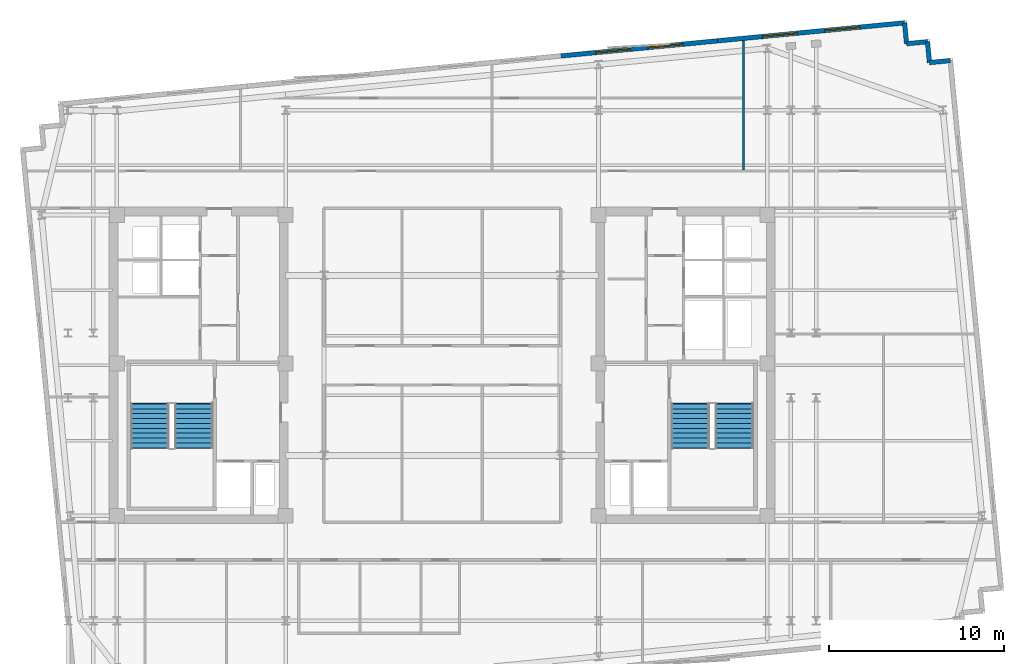
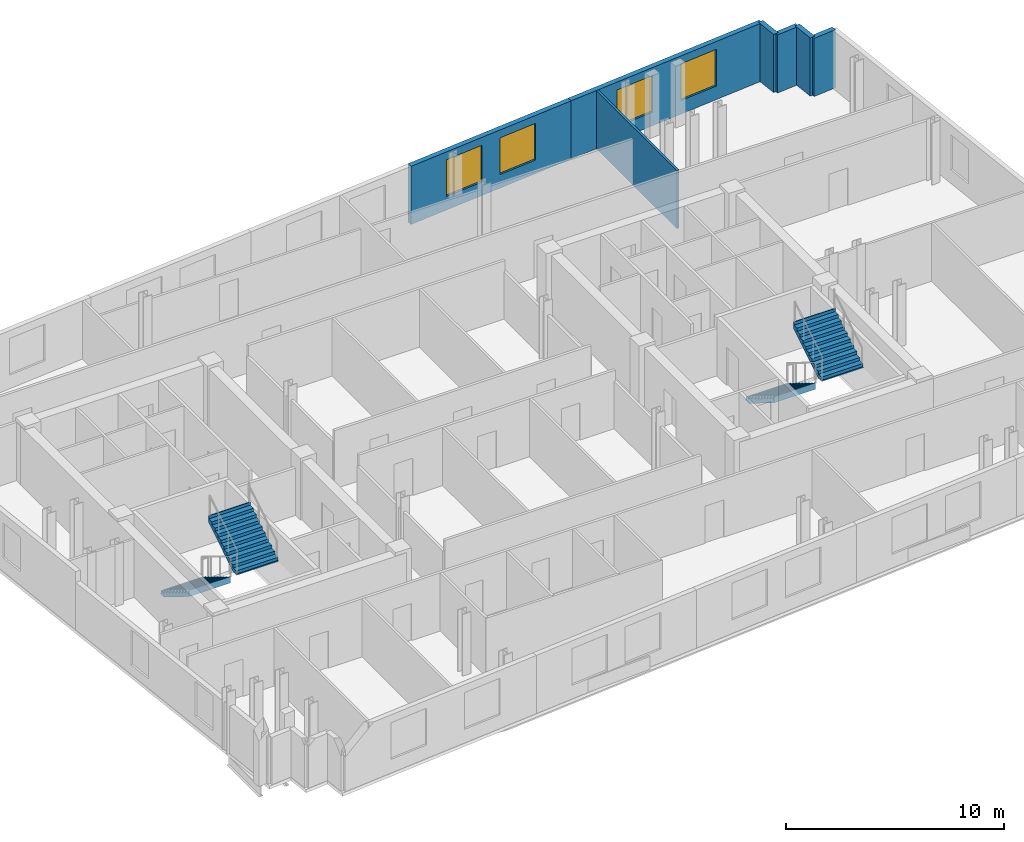
# One storey, part 7 of 9: 7 walls, 4 stair flights, 4 windows, 4 openings, 2 elements without a shape of their own.
"""IFC4 building model written with IfcOpenShell, lengths in metres."""

from ifc_helpers import new_model, si_unit, direction, frame, frame_2d, origin, place, context, subcontext, project, spatial, polyline, rectangle, outline, extrude, material, layer, layer_set, type_object, element, fill, aggregate, save


model = new_model("IFC4")

# Units and contexts
model_context = context("Model", 3, precision=1e-05, world=origin(), true_north=direction((0.0, 1.0)))
body_context = subcontext(model_context, "Body", "Model", "MODEL_VIEW")
ifc_project = project(units=[si_unit("LENGTHUNIT", "METRE"), si_unit("AREAUNIT", "SQUARE_METRE"), si_unit("VOLUMEUNIT", "CUBIC_METRE"), si_unit("PLANEANGLEUNIT", "RADIAN"), si_unit("MASSUNIT", "GRAM", prefix="KILO")], contexts=[model_context])

# Site, building, storey
site_placement = place(None, origin())
site = spatial("IfcSite", under=ifc_project, at=site_placement, CompositionType="ELEMENT")
building_placement = place(site_placement, origin())
building = spatial("IfcBuilding", under=site, at=building_placement, Name="Velakula Bourse", CompositionType="ELEMENT")
storey_placement = place(building_placement, frame((0.0, 0.0, 275.85009765625)))
storey = spatial("IfcBuildingStorey", under=building, at=storey_placement, Name="L75", CompositionType="ELEMENT", Elevation=275.85009765625)

# Wall, openings, windows
ifc_material_1 = material(Name="Buff kilned clay facing brick masonry", Category="masonry")
ifc_layer_1 = layer(ifc_material_1, 0.260009765625, Name="Buff kilned clay facing brick masonry", Category="masonry")
ifc_layer_set_1 = layer_set([ifc_layer_1], Name="Buff kilned clay facing brick masonry")
wall_type_1 = type_object("IfcWallType", Name="WL-EXT-BRK-260", PredefinedType="STANDARD", material=ifc_layer_set_1)
wall_1_placement = place(storey_placement, frame((6.797119140625, 17.700439453125, 0.0), z_axis=(0.0, 0.0, 1.0), x_axis=(0.995394455533, 0.09586385082, 0.0)))
wall_1 = element("IfcWall", 1, at=wall_1_placement, inside=storey, type_object=wall_type_1, Name="L75 N Brick Spandrel Wall B4", PredefinedType="STANDARD", context=body_context, shape_type="SweptSolid", body=[
    extrude(rectangle(XDim=9.000244140625, YDim=0.260009765625, at=frame_2d((4.5, 0.0))), origin(), (0.0, 0.0, 1.0), 3.25),
])
opening_1_placement = place(wall_1_placement, frame((2.0, 0.0, 0.760009765625)))
opening_1 = element("IfcOpeningElement", 2, at=opening_1_placement, cuts=wall_1, Name="Opening W-05", PredefinedType="OPENING", context=body_context, shape_type="SweptSolid", body=[
    extrude(rectangle(XDim=2.0, YDim=2.050048828125, at=frame_2d((1.0, 1.02490234375))), frame((0.0, 0.139892578125, 0.0), z_axis=(0.0, -1.0, 0.0), x_axis=(1.0, 0.0, 0.0)), (0.0, 0.0, 1.0), 0.280029296875),
])
opening_2_placement = place(wall_1_placement, frame((5.0, 0.0, 0.760009765625)))
opening_2 = element("IfcOpeningElement", 3, at=opening_2_placement, cuts=wall_1, Name="Opening W-05", PredefinedType="OPENING", context=body_context, shape_type="SweptSolid", body=[
    extrude(rectangle(XDim=2.0, YDim=2.050048828125, at=frame_2d((1.0, 1.02490234375))), frame((0.0, 0.139892578125, 0.0), z_axis=(0.0, -1.0, 0.0), x_axis=(1.0, 0.0, 0.0)), (0.0, 0.0, 1.0), 0.280029296875),
])
ifc_material_2 = material(Name="Double-glazed solar-control Low-E glass", Category="glass")
window_type = type_object("IfcWindowType", Name="WIN-TWR-2000x2200", PartitioningType="DOUBLE_PANEL_VERTICAL", PredefinedType="WINDOW", material=ifc_material_2)
window_1_placement = place(opening_1_placement, origin())
window_1 = element("IfcWindow", 4, at=window_1_placement, inside=storey, type_object=window_type, Name="L75 Deep-Set Recessed Window 1", OverallHeight=2.050048828125, OverallWidth=2.0, PartitioningType="DOUBLE_PANEL_VERTICAL", PredefinedType="WINDOW", context=body_context, shape_type="SweptSolid", body=[
    extrude(rectangle(XDim=2.0, YDim=2.050048828125, at=frame_2d((1.0, 1.02490234375))), frame((0.0, 0.030029296875, 0.0), z_axis=(0.0, -1.0, 0.0), x_axis=(1.0, 0.0, 0.0)), (0.0, 0.0, 1.0), 0.06005859375),
])
fill(opening_1, window_1)
window_2_placement = place(opening_2_placement, origin())
window_2 = element("IfcWindow", 5, at=window_2_placement, inside=storey, type_object=window_type, Name="L75 Deep-Set Recessed Window 2", OverallHeight=2.050048828125, OverallWidth=2.0, PartitioningType="DOUBLE_PANEL_VERTICAL", PredefinedType="WINDOW", context=body_context, shape_type="SweptSolid", body=[
    extrude(rectangle(XDim=2.0, YDim=2.050048828125, at=frame_2d((1.0, 1.02490234375))), frame((0.0, 0.030029296875, 0.0), z_axis=(0.0, -1.0, 0.0), x_axis=(1.0, 0.0, 0.0)), (0.0, 0.0, 1.0), 0.06005859375),
])
fill(opening_2, window_2)

wall_2_placement = place(storey_placement, frame((15.755859375, 18.563232421875, 0.0), z_axis=(0.0, 0.0, 1.0), x_axis=(0.995396745868, 0.095840066339, 0.0)))
wall_2 = element("IfcWall", 6, at=wall_2_placement, inside=storey, type_object=wall_type_1, Name="L75 N Brick Spandrel Wall B5", PredefinedType="STANDARD", context=body_context, shape_type="SweptSolid", body=[
    extrude(rectangle(XDim=10.75, YDim=0.260009765625, at=frame_2d((5.375, 0.0))), origin(), (0.0, 0.0, 1.0), 3.25),
])
opening_3_placement = place(wall_2_placement, frame((2.583251953125, 0.0, 0.760009765625)))
opening_3 = element("IfcOpeningElement", 7, at=opening_3_placement, cuts=wall_2, Name="Opening W-05", PredefinedType="OPENING", context=body_context, shape_type="SweptSolid", body=[
    extrude(rectangle(XDim=2.0, YDim=2.050048828125, at=frame_2d((1.0, 1.02490234375))), frame((0.0, 0.139892578125, 0.0), z_axis=(0.0, -1.0, 0.0), x_axis=(1.0, 0.0, 0.0)), (0.0, 0.0, 1.0), 0.280029296875),
])
opening_4_placement = place(wall_2_placement, frame((6.166748046875, 0.0, 0.760009765625)))
opening_4 = element("IfcOpeningElement", 8, at=opening_4_placement, cuts=wall_2, Name="Opening W-05", PredefinedType="OPENING", context=body_context, shape_type="SweptSolid", body=[
    extrude(rectangle(XDim=2.0, YDim=2.050048828125, at=frame_2d((1.0, 1.02490234375))), frame((0.0, 0.139892578125, 0.0), z_axis=(0.0, -1.0, 0.0), x_axis=(1.0, 0.0, 0.0)), (0.0, 0.0, 1.0), 0.280029296875),
])
window_3_placement = place(opening_3_placement, origin())
window_3 = element("IfcWindow", 9, at=window_3_placement, inside=storey, type_object=window_type, Name="L75 Deep-Set Recessed Window 1", OverallHeight=2.050048828125, OverallWidth=2.0, PartitioningType="DOUBLE_PANEL_VERTICAL", PredefinedType="WINDOW", context=body_context, shape_type="SweptSolid", body=[
    extrude(rectangle(XDim=2.0, YDim=2.050048828125, at=frame_2d((1.0, 1.02490234375))), frame((0.0, 0.030029296875, 0.0), z_axis=(0.0, -1.0, 0.0), x_axis=(1.0, 0.0, 0.0)), (0.0, 0.0, 1.0), 0.06005859375),
])
fill(opening_3, window_3)
window_4_placement = place(opening_4_placement, origin())
window_4 = element("IfcWindow", 10, at=window_4_placement, inside=storey, type_object=window_type, Name="L75 Deep-Set Recessed Window 2", OverallHeight=2.050048828125, OverallWidth=2.0, PartitioningType="DOUBLE_PANEL_VERTICAL", PredefinedType="WINDOW", context=body_context, shape_type="SweptSolid", body=[
    extrude(rectangle(XDim=2.0, YDim=2.050048828125, at=frame_2d((1.0, 1.02490234375))), frame((0.0, 0.030029296875, 0.0), z_axis=(0.0, -1.0, 0.0), x_axis=(1.0, 0.0, 0.0)), (0.0, 0.0, 1.0), 0.06005859375),
])
fill(opening_4, window_4)

# Walls
for number, where, z_axis, x_axis, name in (
    (11, (29.0751953125, 17.4345703125, 0.0), (0.0, 0.0, 1.0), (-0.995397091755, -0.095836473879, 0.0), "L75 Serrated Corner Brick Wall NE-1"),
    (12, (27.880859375, 17.319580078125, 0.0), (0.0, 0.0, 1.0), (-0.095836473879, 0.995397091755, 0.0), "L75 Serrated Corner Brick Wall NE-2"),
):
    element("IfcWall", number, at=place(storey_placement, frame(where, z_axis=z_axis, x_axis=x_axis)), inside=storey, type_object=wall_type_1, Name=name, PredefinedType="STANDARD", context=body_context, shape_type="SweptSolid", body=[
        extrude(rectangle(XDim=1.199951171875, YDim=0.260009765625, at=frame_2d((0.60009765625, 0.0))), origin(), (0.0, 0.0, 1.0), 3.25),
    ])
for number, where, z_axis, x_axis, name in (
    (13, (27.765869140625, 18.513916015625, 0.0), (0.0, 0.0, 1.0), (-0.995398960025, -0.095817067274, 0.0), "L75 Serrated Corner Brick Wall NE-3"),
    (14, (26.5712890625, 18.39892578125, 0.0), (0.0, 0.0, 1.0), (-0.095817067274, 0.995398960025, 0.0), "L75 Serrated Corner Brick Wall NE-4"),
):
    element("IfcWall", number, at=place(storey_placement, frame(where, z_axis=z_axis, x_axis=x_axis)), inside=storey, type_object=wall_type_1, Name=name, PredefinedType="STANDARD", context=body_context, shape_type="SweptSolid", body=[
        extrude(rectangle(XDim=1.2001953125, YDim=0.260009765625, at=frame_2d((0.60009765625, 0.0))), origin(), (0.0, 0.0, 1.0), 3.25),
    ])
ifc_material_3 = material(Name="Fire-rated double-layer gypsum drywall partition", Category="gypsum")
ifc_layer_2 = layer(ifc_material_3, 0.1201171875, Name="Fire-rated double-layer gypsum drywall partition", Category="gypsum")
ifc_layer_set_2 = layer_set([ifc_layer_2], Name="Fire-rated double-layer gypsum drywall partition")
wall_type_2 = type_object("IfcWallType", Name="WL-PART-120", PredefinedType="STANDARD", material=ifc_layer_set_2)
wall_3_placement = place(storey_placement, frame((17.236083984375, 11.18994140625, 0.0), z_axis=(0.0, 0.0, 1.0), x_axis=(0.0, 1.0, 0.0)))
element("IfcWall", 15, at=wall_3_placement, inside=storey, type_object=wall_type_2, Name="L75 Interior Partition WL-INT-L75-N-D3", PredefinedType="STANDARD", context=body_context, shape_type="SweptSolid", body=[
    extrude(rectangle(XDim=7.38525390625, YDim=0.1201171875, at=frame_2d((3.692626953125, 0.0))), origin(), (0.0, 0.0, 1.0), 3.25),
])

# Stair, stair flights
ifc_material_4 = material(Name="Concrete M45 (fck 45 MPa)", Category="concrete")
stair_type = type_object("IfcStairType", Name="STR-DOG-390", PredefinedType="HALF_TURN_STAIR", material=ifc_material_4)
stair_1_placement = place(storey_placement, origin())
stair_1 = element("IfcStair", 16, at=stair_1_placement, inside=storey, type_object=stair_type, Name="L75 West Core Exit Stair ST-W1", PredefinedType="HALF_TURN_STAIR")
ifc_layer_3 = layer(ifc_material_4, 0.195068359375, Name="Concrete M45 (fck 45 MPa)", Category="concrete")
ifc_layer_set_3 = layer_set([ifc_layer_3], Name="Concrete M45 (fck 45 MPa)")
stair_flight_type = type_object("IfcStairFlightType", Name="FLT-DOG-390", PredefinedType="STRAIGHT", material=ifc_layer_set_3)
stair_flight_1_placement = place(storey_placement, frame((-16.720947265625, -2.199951171875, 0.0), z_axis=(0.0, 0.0, 1.0), x_axis=(0.0, -1.0, 0.0)))
stair_flight_1 = element("IfcStairFlight", 17, at=stair_flight_1_placement, type_object=stair_flight_type, Name="ST-W1 flight 1", NumberOfRisers=10, NumberOfTreads=9, PredefinedType="STRAIGHT", RiserHeight=0.1725, TreadLength=0.28, context=body_context, shape_type="SweptSolid", body=[
    extrude(outline(polyline([(-0.044921875, -0.0400390625), (-0.044921875, -0.036865234375), (-0.044921875, -0.033935546875), (-0.044921875, -0.03076171875), (-0.044921875, -0.027587890625), (-0.044921875, -0.024658203125), (-0.044921875, -0.021484375), (-0.044921875, -0.0185546875), (-0.044921875, -0.015380859375), (-0.044921875, -0.01220703125), (-0.044921875, -0.00927734375), (-0.044921875, -0.006103515625), (-0.044921875, -0.003173828125), (-0.044921875, 0.0), (0.0, 0.0), (0.0, 0.172607421875), (0.280029296875, 0.172607421875), (0.280029296875, 0.344970703125), (0.56005859375, 0.344970703125), (0.56005859375, 0.517578125), (0.840087890625, 0.517578125), (0.840087890625, 0.68994140625), (1.1201171875, 0.68994140625), (1.1201171875, 0.862548828125), (1.39990234375, 0.862548828125), (1.39990234375, 1.034912109375), (1.679931640625, 1.034912109375), (1.679931640625, 1.20751953125), (1.9599609375, 1.20751953125), (1.9599609375, 1.3798828125), (2.239990234375, 1.3798828125), (2.239990234375, 1.552490234375), (2.52001953125, 1.552490234375), (2.52001953125, 1.72509765625), (2.56494140625, 1.72509765625), (2.56494140625, 1.7001953125), (2.56494140625, 1.67529296875), (2.56494140625, 1.650390625), (2.56494140625, 1.62548828125), (2.56494140625, 1.6005859375), (2.56494140625, 1.57568359375), (2.56494140625, 1.55078125), (2.56494140625, 1.52587890625), (2.56494140625, 1.5009765625), (2.56494140625, 1.47607421875), (2.56494140625, 1.451171875), (2.56494140625, 1.42626953125), (2.56494140625, 1.4013671875), (2.56494140625, 1.37646484375), (0.285888671875, -0.0400390625), (-0.044921875, -0.0400390625)])), frame((0.0, 1.09912109375, 0.0), z_axis=(0.0, -1.0, 0.0), x_axis=(1.0, 0.0, 0.0)), (0.0, 0.0, 1.0), 2.197998046875),
])
stair_flight_2_placement = place(storey_placement, frame((-14.198974609375, -4.719970703125, 1.724853515625), z_axis=(0.0, 0.0, 1.0), x_axis=(0.0, 1.0, 0.0)))
stair_flight_2 = element("IfcStairFlight", 18, at=stair_flight_2_placement, type_object=stair_flight_type, Name="ST-W1 flight 2", NumberOfRisers=10, NumberOfTreads=9, PredefinedType="STRAIGHT", RiserHeight=0.1725, TreadLength=0.28, context=body_context, shape_type="SweptSolid", body=[
    extrude(outline(polyline([(-0.044921875, -0.0400390625), (-0.044921875, -0.036865234375), (-0.044921875, -0.033935546875), (-0.044921875, -0.03076171875), (-0.044921875, -0.027587890625), (-0.044921875, -0.024658203125), (-0.044921875, -0.021484375), (-0.044921875, -0.0185546875), (-0.044921875, -0.015380859375), (-0.044921875, -0.01220703125), (-0.044921875, -0.00927734375), (-0.044921875, -0.006103515625), (-0.044921875, -0.003173828125), (-0.044921875, 0.0), (0.0, 0.0), (0.0, 0.172607421875), (0.280029296875, 0.172607421875), (0.280029296875, 0.344970703125), (0.56005859375, 0.344970703125), (0.56005859375, 0.517578125), (0.840087890625, 0.517578125), (0.840087890625, 0.68994140625), (1.1201171875, 0.68994140625), (1.1201171875, 0.862548828125), (1.39990234375, 0.862548828125), (1.39990234375, 1.034912109375), (1.679931640625, 1.034912109375), (1.679931640625, 1.20751953125), (1.9599609375, 1.20751953125), (1.9599609375, 1.3798828125), (2.239990234375, 1.3798828125), (2.239990234375, 1.552490234375), (2.52001953125, 1.552490234375), (2.52001953125, 1.72509765625), (2.56494140625, 1.72509765625), (2.56494140625, 1.7001953125), (2.56494140625, 1.67529296875), (2.56494140625, 1.650390625), (2.56494140625, 1.62548828125), (2.56494140625, 1.6005859375), (2.56494140625, 1.57568359375), (2.56494140625, 1.55078125), (2.56494140625, 1.52587890625), (2.56494140625, 1.5009765625), (2.56494140625, 1.47607421875), (2.56494140625, 1.451171875), (2.56494140625, 1.42626953125), (2.56494140625, 1.4013671875), (2.56494140625, 1.37646484375), (0.285888671875, -0.0400390625), (-0.044921875, -0.0400390625)])), frame((0.0, 1.09912109375, 0.0), z_axis=(0.0, -1.0, 0.0), x_axis=(1.0, 0.0, 0.0)), (0.0, 0.0, 1.0), 2.197998046875),
])
aggregate(stair_1, [stair_flight_1, stair_flight_2])

stair_2_placement = place(storey_placement, origin())
stair_2 = element("IfcStair", 19, at=stair_2_placement, inside=storey, type_object=stair_type, Name="L75 East Core Exit Stair ST-E1", PredefinedType="HALF_TURN_STAIR")
stair_flight_3_placement = place(storey_placement, frame((14.198974609375, -2.199951171875, 0.0), z_axis=(0.0, 0.0, 1.0), x_axis=(0.0, -1.0, 0.0)))
stair_flight_3 = element("IfcStairFlight", 20, at=stair_flight_3_placement, type_object=stair_flight_type, Name="ST-E1 flight 1", NumberOfRisers=10, NumberOfTreads=9, PredefinedType="STRAIGHT", RiserHeight=0.1725, TreadLength=0.28, context=body_context, shape_type="SweptSolid", body=[
    extrude(outline(polyline([(-0.044921875, -0.0400390625), (-0.044921875, -0.036865234375), (-0.044921875, -0.033935546875), (-0.044921875, -0.03076171875), (-0.044921875, -0.027587890625), (-0.044921875, -0.024658203125), (-0.044921875, -0.021484375), (-0.044921875, -0.0185546875), (-0.044921875, -0.015380859375), (-0.044921875, -0.01220703125), (-0.044921875, -0.00927734375), (-0.044921875, -0.006103515625), (-0.044921875, -0.003173828125), (-0.044921875, 0.0), (0.0, 0.0), (0.0, 0.172607421875), (0.280029296875, 0.172607421875), (0.280029296875, 0.344970703125), (0.56005859375, 0.344970703125), (0.56005859375, 0.517578125), (0.840087890625, 0.517578125), (0.840087890625, 0.68994140625), (1.1201171875, 0.68994140625), (1.1201171875, 0.862548828125), (1.39990234375, 0.862548828125), (1.39990234375, 1.034912109375), (1.679931640625, 1.034912109375), (1.679931640625, 1.20751953125), (1.9599609375, 1.20751953125), (1.9599609375, 1.3798828125), (2.239990234375, 1.3798828125), (2.239990234375, 1.552490234375), (2.52001953125, 1.552490234375), (2.52001953125, 1.72509765625), (2.56494140625, 1.72509765625), (2.56494140625, 1.7001953125), (2.56494140625, 1.67529296875), (2.56494140625, 1.650390625), (2.56494140625, 1.62548828125), (2.56494140625, 1.6005859375), (2.56494140625, 1.57568359375), (2.56494140625, 1.55078125), (2.56494140625, 1.52587890625), (2.56494140625, 1.5009765625), (2.56494140625, 1.47607421875), (2.56494140625, 1.451171875), (2.56494140625, 1.42626953125), (2.56494140625, 1.4013671875), (2.56494140625, 1.37646484375), (0.285888671875, -0.0400390625), (-0.044921875, -0.0400390625)])), frame((0.0, 1.09912109375, 0.0), z_axis=(0.0, -1.0, 0.0), x_axis=(1.0, 0.0, 0.0)), (0.0, 0.0, 1.0), 2.197998046875),
])
stair_flight_4_placement = place(storey_placement, frame((16.720947265625, -4.719970703125, 1.724853515625), z_axis=(0.0, 0.0, 1.0), x_axis=(0.0, 1.0, 0.0)))
stair_flight_4 = element("IfcStairFlight", 21, at=stair_flight_4_placement, type_object=stair_flight_type, Name="ST-E1 flight 2", NumberOfRisers=10, NumberOfTreads=9, PredefinedType="STRAIGHT", RiserHeight=0.1725, TreadLength=0.28, context=body_context, shape_type="SweptSolid", body=[
    extrude(outline(polyline([(-0.044921875, -0.0400390625), (-0.044921875, -0.036865234375), (-0.044921875, -0.033935546875), (-0.044921875, -0.03076171875), (-0.044921875, -0.027587890625), (-0.044921875, -0.024658203125), (-0.044921875, -0.021484375), (-0.044921875, -0.0185546875), (-0.044921875, -0.015380859375), (-0.044921875, -0.01220703125), (-0.044921875, -0.00927734375), (-0.044921875, -0.006103515625), (-0.044921875, -0.003173828125), (-0.044921875, 0.0), (0.0, 0.0), (0.0, 0.172607421875), (0.280029296875, 0.172607421875), (0.280029296875, 0.344970703125), (0.56005859375, 0.344970703125), (0.56005859375, 0.517578125), (0.840087890625, 0.517578125), (0.840087890625, 0.68994140625), (1.1201171875, 0.68994140625), (1.1201171875, 0.862548828125), (1.39990234375, 0.862548828125), (1.39990234375, 1.034912109375), (1.679931640625, 1.034912109375), (1.679931640625, 1.20751953125), (1.9599609375, 1.20751953125), (1.9599609375, 1.3798828125), (2.239990234375, 1.3798828125), (2.239990234375, 1.552490234375), (2.52001953125, 1.552490234375), (2.52001953125, 1.72509765625), (2.56494140625, 1.72509765625), (2.56494140625, 1.7001953125), (2.56494140625, 1.67529296875), (2.56494140625, 1.650390625), (2.56494140625, 1.62548828125), (2.56494140625, 1.6005859375), (2.56494140625, 1.57568359375), (2.56494140625, 1.55078125), (2.56494140625, 1.52587890625), (2.56494140625, 1.5009765625), (2.56494140625, 1.47607421875), (2.56494140625, 1.451171875), (2.56494140625, 1.42626953125), (2.56494140625, 1.4013671875), (2.56494140625, 1.37646484375), (0.285888671875, -0.0400390625), (-0.044921875, -0.0400390625)])), frame((0.0, 1.09912109375, 0.0), z_axis=(0.0, -1.0, 0.0), x_axis=(1.0, 0.0, 0.0)), (0.0, 0.0, 1.0), 2.197998046875),
])
aggregate(stair_2, [stair_flight_3, stair_flight_4])

save(model, "model.ifc")
